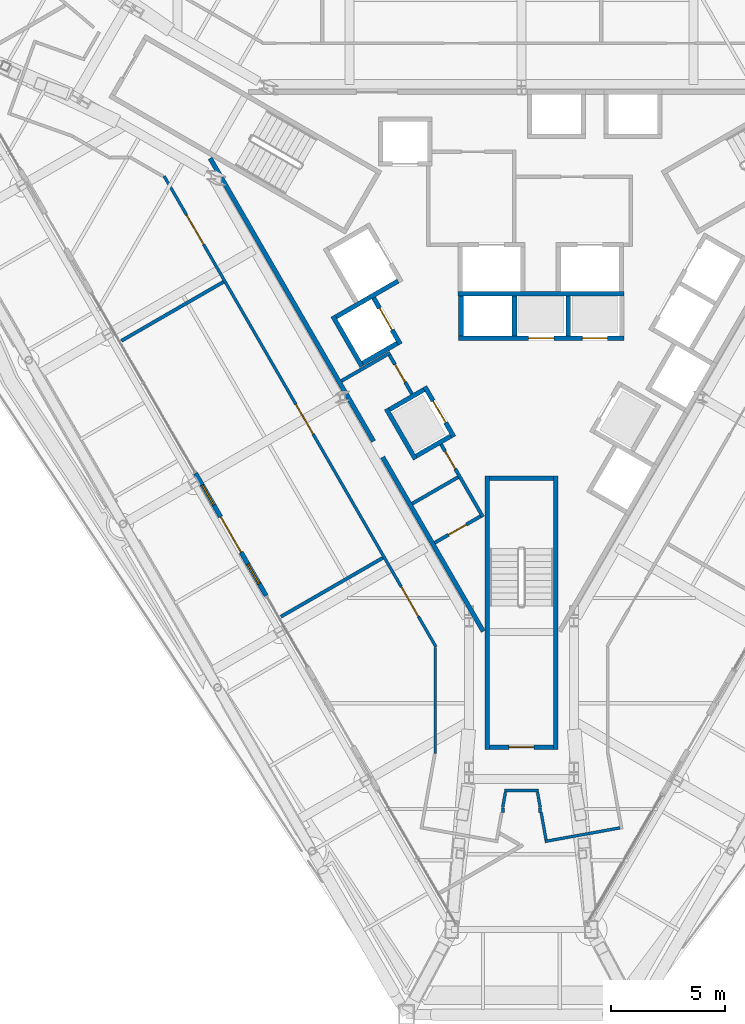
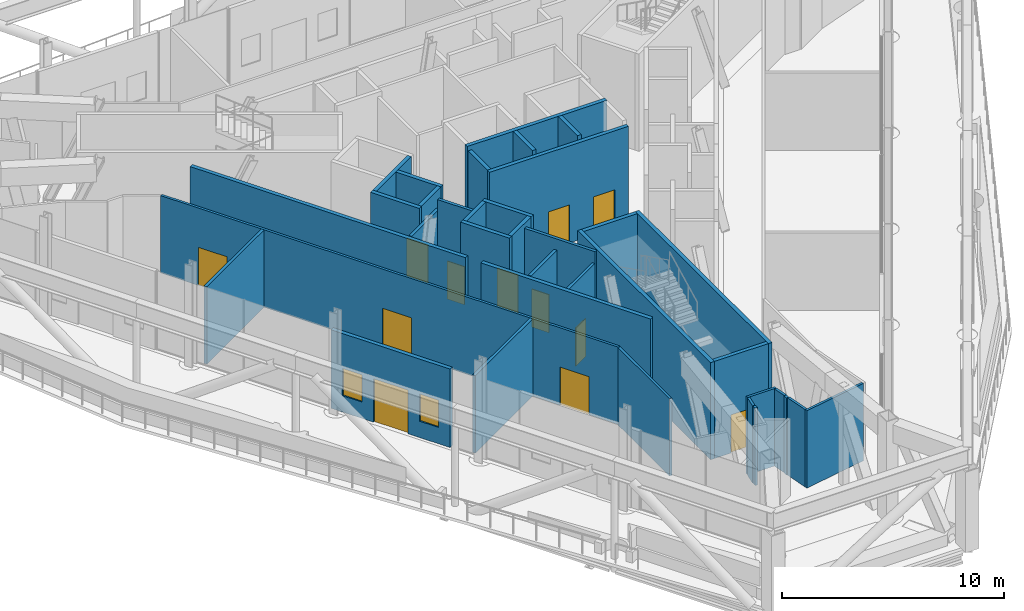
# One storey, part 15 of 25: 36 walls, 12 doors, 2 windows, 14 openings.
"""IFC4 building model written with IfcOpenShell, lengths in metres."""

import ifcopenshell
import ifcopenshell.guid

model = None  # the IFC model being written
_history = None  # IfcOwnerHistory: only IFC2X3 demands one
_inside = {}  # id of a spatial element -> (the spatial element, [elements in it])
_under = {}  # id of a project, library or spatial element -> (it, [spatial elements below it])
_declared = {}  # id of a project -> (the project, [libraries it declares])
_typed = {}  # id of a type object -> (the type object, [elements of that type])
_made_of = {}  # id of a material, layer set ... -> (it, [elements and type objects made of it])


def new_model(schema):
    """Start an empty IFC model of exactly this schema.

    Asked for "IFC4X3", IfcOpenShell would pick the latest addendum, in which some entities
    have other attributes; the version numbers below select the first issue.
    IFC2X3 requires an IfcOwnerHistory on every rooted entity: one is made here for all.
    """
    global model, _history
    if schema == "IFC4X3":
        model = ifcopenshell.file(schema_version=(4, 3, 0, 0))
    else:
        model = ifcopenshell.file(schema=schema)
    _inside.clear()
    _under.clear()
    _declared.clear()
    _typed.clear()
    _made_of.clear()
    _history = None
    if model.schema == "IFC2X3":
        org = make("IfcOrganization", Name="unknown")
        user = make(
            "IfcPersonAndOrganization",
            ThePerson=make("IfcPerson", FamilyName="unknown"),
            TheOrganization=org,
        )
        app = make(
            "IfcApplication",
            ApplicationDeveloper=org,
            Version="unknown",
            ApplicationFullName="unknown",
            ApplicationIdentifier="unknown",
        )
        _history = make(
            "IfcOwnerHistory",
            OwningUser=user,
            OwningApplication=app,
            ChangeAction="ADDED",
            CreationDate=0,
        )
    return model


def make(cls, **values):
    """One entity of the class cls with the attributes given. An attribute that is None is left unset."""
    return model.create_entity(
        cls, **{name: value for name, value in values.items() if value is not None}
    )


def rooted(cls, **values):
    """An entity with a GlobalId (a new one), such as an element, a storey or a relation."""
    return make(cls, GlobalId=ifcopenshell.guid.new(), OwnerHistory=_history, **values)


def si_unit(unit_type, name, prefix=None):
    """IfcSIUnit, for example si_unit("LENGTHUNIT", "METRE", prefix="MILLI")."""
    return make("IfcSIUnit", UnitType=unit_type, Prefix=prefix, Name=name)


def assignment(units):
    """IfcUnitAssignment: the units of a project."""
    return None if units is None else make("IfcUnitAssignment", Units=units)


def point(xyz):
    """IfcCartesianPoint."""
    return None if xyz is None else make("IfcCartesianPoint", Coordinates=xyz)


def direction(xyz):
    """IfcDirection."""
    return None if xyz is None else make("IfcDirection", DirectionRatios=xyz)


def frame(location, z_axis=None, x_axis=None):
    """IfcAxis2Placement3D, a coordinate frame: its origin and axes. An axis left out is left unset."""
    return make(
        "IfcAxis2Placement3D",
        Location=point(location),
        Axis=direction(z_axis),
        RefDirection=direction(x_axis),
    )


def frame_2d(location, x_axis=None):
    """IfcAxis2Placement2D, a coordinate frame in the plane: its origin and x axis."""
    return make(
        "IfcAxis2Placement2D", Location=point(location), RefDirection=direction(x_axis)
    )


def origin():
    """The frame at (0, 0, 0) with its axes left unset."""
    return frame((0.0, 0.0, 0.0))


def place(relative_to, where):
    """IfcLocalPlacement: puts the frame where relative to a parent placement (None: the world)."""
    return make(
        "IfcLocalPlacement", PlacementRelTo=relative_to, RelativePlacement=where
    )


def context(
    kind, dimensions, precision=None, world=None, true_north=None, identifier=None
):
    """IfcGeometricRepresentationContext, for example the 3D "Model" context."""
    return make(
        "IfcGeometricRepresentationContext",
        ContextIdentifier=identifier,
        ContextType=kind,
        CoordinateSpaceDimension=dimensions,
        Precision=precision,
        WorldCoordinateSystem=world,
        TrueNorth=true_north,
    )


def subcontext(parent, identifier, kind, view, scale=None):
    """IfcGeometricRepresentationSubContext, for example "Body" below "Model"."""
    return make(
        "IfcGeometricRepresentationSubContext",
        ContextIdentifier=identifier,
        ContextType=kind,
        ParentContext=parent,
        TargetScale=scale,
        TargetView=view,
    )


def project(units=None, contexts=None):
    """IfcProject with its units and contexts."""
    return rooted(
        "IfcProject",
        Name="project",
        RepresentationContexts=contexts,
        UnitsInContext=assignment(units),
    )


def spatial(cls, under=None, at=None, **own):
    """A site, building, storey or space (cls), placed at a placement, below another one or the project."""
    s = rooted(cls, ObjectPlacement=at, **own)
    if under is not None:
        _under.setdefault(under.id(), (under, []))[1].append(s)
    return s


def profile(cls, at=None, kind="AREA", **sizes):
    """A parametric profile (cls). Its sizes go by their IFC names, for example OverallWidth=200.0."""
    return make(cls, ProfileType=kind, Position=at, **sizes)


def rectangle(**sizes):
    """IfcRectangleProfileDef."""
    return profile("IfcRectangleProfileDef", **sizes)


def extrude(swept, where, along, depth):
    """IfcExtrudedAreaSolid: the profile swept, set in the frame where, extruded along a direction by depth."""
    return make(
        "IfcExtrudedAreaSolid",
        SweptArea=swept,
        Position=where,
        ExtrudedDirection=direction(along),
        Depth=depth,
    )


def shape(context_of_items, identifier, shape_type, items):
    """IfcShapeRepresentation: the items that make up one representation, for example the "Body"."""
    return make(
        "IfcShapeRepresentation",
        ContextOfItems=context_of_items,
        RepresentationIdentifier=identifier,
        RepresentationType=shape_type,
        Items=items,
    )


def material(Name=None, Category=None):
    """IfcMaterial."""
    return make("IfcMaterial", Name=Name, Category=Category)


def layer(
    of_material, thickness, ventilated=None, Name=None, Category=None, Priority=None
):
    """IfcMaterialLayer: one layer of a wall or slab, of a material (None: an air gap)."""
    return make(
        "IfcMaterialLayer",
        Material=of_material,
        LayerThickness=thickness,
        IsVentilated=ventilated,
        Name=Name,
        Category=Category,
        Priority=Priority,
    )


def layer_set(layers, Name=None):
    """IfcMaterialLayerSet."""
    return make("IfcMaterialLayerSet", MaterialLayers=layers, LayerSetName=Name)


def made_of(thing, what):
    """Note that an element or type object is made of a material, layer set ...; save() writes the relation."""
    if what is not None:
        _made_of.setdefault(what.id(), (what, []))[1].append(thing)
    return thing


def type_object(cls, material=None, **own):
    """A type object (cls), such as IfcWallType, which elements share."""
    return made_of(rooted(cls, **own), material)


def element(
    cls,
    number,
    at=None,
    inside=None,
    cuts=None,
    type_object=None,
    material=None,
    context=None,
    identifier="Body",
    shape_type=None,
    held_by="IfcProductDefinitionShape",
    body=None,
    shapes=None,
    **own,
):
    """One element of the class cls, such as IfcWall. Its Tag is "e" and its number.

    at: its placement. inside: the storey or other place that contains it. cuts: it is an
    opening in that element (IfcRelVoidsElement). A single representation is given by context,
    identifier, shape_type and body (its items); several are given by shapes. held_by: the class
    of the entity that holds the representations. save() writes the other relations.
    """
    e = rooted(cls, Tag="e%d" % number, ObjectPlacement=at, **own)
    if body is not None:
        shapes = [shape(context, identifier, shape_type, body)]
    if shapes is not None:
        e.Representation = make(held_by, Representations=shapes)
    if inside is not None:
        _inside.setdefault(inside.id(), (inside, []))[1].append(e)
    if cuts is not None:
        rooted(
            "IfcRelVoidsElement", RelatingBuildingElement=cuts, RelatedOpeningElement=e
        )
    if type_object is not None:
        _typed.setdefault(type_object.id(), (type_object, []))[1].append(e)
    return made_of(e, material)


def fill(opening, filler):
    """IfcRelFillsElement: the door or window that sits in an opening."""
    return rooted(
        "IfcRelFillsElement",
        RelatingOpeningElement=opening,
        RelatedBuildingElement=filler,
    )


def aggregate(whole, parts):
    """IfcRelAggregates: a whole, such as a stair, and the parts it consists of."""
    return rooted("IfcRelAggregates", RelatingObject=whole, RelatedObjects=parts)


def save(model, path):
    """Write the relations noted so far, then the file.

    IfcRelAggregates (storeys below a building ...), IfcRelContainedInSpatialStructure (elements
    in a storey), IfcRelDefinesByType, IfcRelAssociatesMaterial and IfcRelDeclares: one each for
    every whole, place, type object, material and project.
    """
    for whole, parts in _under.values():
        aggregate(whole, parts)
    for where, things in _inside.values():
        rooted(
            "IfcRelContainedInSpatialStructure",
            RelatedElements=things,
            RelatingStructure=where,
        )
    for kind, things in _typed.values():
        rooted("IfcRelDefinesByType", RelatedObjects=things, RelatingType=kind)
    for what, things in _made_of.values():
        rooted("IfcRelAssociatesMaterial", RelatedObjects=things, RelatingMaterial=what)
    for by, libraries in _declared.values():
        rooted("IfcRelDeclares", RelatingContext=by, RelatedDefinitions=libraries)
    model.write(path)


model = new_model("IFC4")

# Units and contexts
model_context = context("Model", 3, precision=1e-05, world=origin(), true_north=direction((0.0, 1.0)))
body_context = subcontext(model_context, "Body", "Model", "MODEL_VIEW")
ifc_project = project(units=[si_unit("LENGTHUNIT", "METRE"), si_unit("AREAUNIT", "SQUARE_METRE"), si_unit("VOLUMEUNIT", "CUBIC_METRE"), si_unit("PLANEANGLEUNIT", "RADIAN"), si_unit("MASSUNIT", "GRAM", prefix="KILO")], contexts=[model_context])

# Site, building, storey
site_placement = place(None, origin())
site = spatial("IfcSite", under=ifc_project, at=site_placement, CompositionType="ELEMENT")
building_placement = place(site_placement, origin())
building = spatial("IfcBuilding", under=site, at=building_placement, Name="Verrane Prism Tower", CompositionType="ELEMENT")
storey_placement = place(building_placement, frame((0.0, 0.0, 143.199951171875)))
storey = spatial("IfcBuildingStorey", under=building, at=storey_placement, Name="L35", CompositionType="ELEMENT", Elevation=143.199951171875)

# Walls
ifc_material_1 = material(Name="Gypsum board partition", Category="other")
ifc_layer_1 = layer(ifc_material_1, 0.199951171875)
ifc_layer_set_1 = layer_set([ifc_layer_1], Name="CW-200 core boundary wall 2 h")
wall_type_1 = type_object("IfcWallType", Name="CW-200 core boundary wall 2 h", PredefinedType="PARTITIONING", material=ifc_layer_set_1)
wall_1_placement = place(storey_placement, frame((-13.666015625, 5.950439453125, 0.0), z_axis=(0.0, 0.0, 1.0), x_axis=(0.499988097782, -0.866032275424, 0.0)))
element("IfcWall", 1, at=wall_1_placement, inside=storey, type_object=wall_type_1, Name="Core boundary wall CW3-001", PredefinedType="PARTITIONING", context=body_context, shape_type="SweptSolid", body=[
    extrude(rectangle(XDim=14.346435546875, YDim=0.199951171875, at=frame_2d((7.17333984375, 0.0))), origin(), (0.0, 0.0, 1.0), 4.69677734375),
])
wall_2_placement = place(storey_placement, frame((-6.093017578125, -7.1669921875, 0.0), z_axis=(0.0, 0.0, 1.0), x_axis=(0.500010425738, -0.866019384398, 0.0)))
element("IfcWall", 2, at=wall_2_placement, inside=storey, type_object=wall_type_1, Name="Core boundary wall CW3-003", PredefinedType="PARTITIONING", context=body_context, shape_type="SweptSolid", body=[
    extrude(rectangle(XDim=8.830810546875, YDim=0.199951171875, at=frame_2d((4.41552734375, 0.0))), origin(), (0.0, 0.0, 1.0), 4.69677734375),
])

# Wall, opening, door
ifc_material_2 = material(Name="Concrete C40/50", Category="concrete")
ifc_layer_2 = layer(ifc_material_2, 0.199951171875)
ifc_layer_set_2 = layer_set([ifc_layer_2], Name="CW-200 stair core wall concrete C40/50 3 h")
wall_type_2 = type_object("IfcWallType", Name="CW-200 stair core wall concrete C40/50 3 h", PredefinedType="PARTITIONING", material=ifc_layer_set_2)
wall_3_placement = place(storey_placement, frame((-1.39990234375, -19.89990234375, 0.0), z_axis=(0.0, 0.0, 1.0), x_axis=(1.0, 0.0, 0.0)))
wall_3 = element("IfcWall", 3, at=wall_3_placement, inside=storey, type_object=wall_type_2, Name="Stair 3 enclosure wall", PredefinedType="PARTITIONING", context=body_context, shape_type="SweptSolid", body=[
    extrude(rectangle(XDim=2.7998046875, YDim=0.199951171875, at=frame_2d((1.39990234375, 0.0))), origin(), (0.0, 0.0, 1.0), 5.35009765625),
])
opening_1_placement = place(wall_3_placement, frame((0.85009765625, 0.0, 0.0)))
opening_1 = element("IfcOpeningElement", 4, at=opening_1_placement, cuts=wall_3, Name="Opening D35502", PredefinedType="OPENING", context=body_context, shape_type="SweptSolid", body=[
    extrude(rectangle(XDim=1.10009765625, YDim=2.10009765625, at=frame_2d((0.550048828125, 1.050048828125))), frame((0.0, 0.10986328125, 0.0), z_axis=(0.0, -1.0, 0.0), x_axis=(1.0, 0.0, 0.0)), (0.0, 0.0, 1.0), 0.219970703125),
])
ifc_material_3 = material(Name="Timber veneered door leaf", Category="wood")
door_type_1 = type_object("IfcDoorType", Name="DR-1100x2100 FD90 single leaf stair", OperationType="NOTDEFINED", PredefinedType="DOOR", material=ifc_material_3)
door_1_placement = place(opening_1_placement, origin())
door_1 = element("IfcDoor", 5, at=door_1_placement, inside=storey, type_object=door_type_1, Name="Stair 3 door", OperationType="SINGLE_SWING_LEFT", OverallHeight=2.10009765625, OverallWidth=1.10009765625, PredefinedType="DOOR", context=body_context, shape_type="SweptSolid", body=[
    extrude(rectangle(XDim=1.10009765625, YDim=2.10009765625, at=frame_2d((0.550048828125, 1.050048828125))), frame((0.0, 0.02490234375, 0.0), z_axis=(0.0, -1.0, 0.0), x_axis=(1.0, 0.0, 0.0)), (0.0, 0.0, 1.0), 0.050048828125),
])
fill(opening_1, door_1)

# Walls
for number, where, z_axis, x_axis, name in (
    (6, (1.5, -8.0, 0.0), (0.0, 0.0, 1.0), (0.0, -1.0, 0.0), "Stair 3 enclosure wall"),
    (7, (-1.5, -8.0, 0.0), (0.0, 0.0, 1.0), (0.0, -1.0, 0.0), "Stair 3 enclosure wall"),
):
    element("IfcWall", number, at=place(storey_placement, frame(where, z_axis=z_axis, x_axis=x_axis)), inside=storey, type_object=wall_type_2, Name=name, PredefinedType="PARTITIONING", context=body_context, shape_type="SweptSolid", body=[
        extrude(rectangle(XDim=12.0, YDim=0.199951171875, at=frame_2d((6.0, 0.0))), origin(), (0.0, 0.0, 1.0), 5.35009765625),
    ])
wall_4_placement = place(storey_placement, frame((-1.39990234375, -8.10009765625, 0.0), z_axis=(0.0, 0.0, 1.0), x_axis=(1.0, 0.0, 0.0)))
element("IfcWall", 8, at=wall_4_placement, inside=storey, type_object=wall_type_2, Name="Stair 3 enclosure wall", PredefinedType="PARTITIONING", context=body_context, shape_type="SweptSolid", body=[
    extrude(rectangle(XDim=2.7998046875, YDim=0.199951171875, at=frame_2d((1.39990234375, 0.0))), origin(), (0.0, 0.0, 1.0), 5.35009765625),
])

# Wall, openings, doors
ifc_material_4 = material(Name="Gypsum board shaft wall assembly", Category="other")
ifc_layer_3 = layer(ifc_material_4, 0.199951171875)
ifc_layer_set_3 = layer_set([ifc_layer_3], Name="HW-200 lift shaft wall 2 h")
wall_type_3 = type_object("IfcWallType", Name="HW-200 lift shaft wall 2 h", PredefinedType="PARTITIONING", material=ifc_layer_set_3)
wall_5_placement = place(storey_placement, frame((-2.7548828125, -1.949951171875, 0.0), z_axis=(0.0, 0.0, 1.0), x_axis=(1.0, 0.0, 0.0)))
wall_5 = element("IfcWall", 9, at=wall_5_placement, inside=storey, type_object=wall_type_3, Name="Lift shaft wall", PredefinedType="PARTITIONING", context=body_context, shape_type="SweptSolid", body=[
    extrude(rectangle(XDim=7.25, YDim=0.199951171875, at=frame_2d((3.625, 0.0))), origin(), (0.0, 0.0, 1.0), 5.35009765625),
])
opening_2_placement = place(wall_5_placement, frame((3.074951171875, 0.0, 0.0)))
opening_2 = element("IfcOpeningElement", 10, at=opening_2_placement, cuts=wall_5, Name="Opening D35507", PredefinedType="OPENING", context=body_context, shape_type="SweptSolid", body=[
    extrude(rectangle(XDim=1.10009765625, YDim=2.10009765625, at=frame_2d((0.550048828125, 1.050048828125))), frame((0.0, 0.10986328125, 0.0), z_axis=(0.0, -1.0, 0.0), x_axis=(1.0, 0.0, 0.0)), (0.0, 0.0, 1.0), 0.219970703125),
])
opening_3_placement = place(wall_5_placement, frame((5.425048828125, 0.0, 0.0)))
opening_3 = element("IfcOpeningElement", 11, at=opening_3_placement, cuts=wall_5, Name="Opening D35508", PredefinedType="OPENING", context=body_context, shape_type="SweptSolid", body=[
    extrude(rectangle(XDim=1.10009765625, YDim=2.10009765625, at=frame_2d((0.550048828125, 1.050048828125))), frame((0.0, 0.10986328125, 0.0), z_axis=(0.0, -1.0, 0.0), x_axis=(1.0, 0.0, 0.0)), (0.0, 0.0, 1.0), 0.219970703125),
])
ifc_material_5 = material(Name="Stainless steel sliding landing door", Category="steel")
door_type_2 = type_object("IfcDoorType", Name="LD-1100x2100 lift landing door FD90 sliding", OperationType="NOTDEFINED", PredefinedType="DOOR", material=ifc_material_5)
door_2_placement = place(opening_2_placement, origin())
door_2 = element("IfcDoor", 12, at=door_2_placement, inside=storey, type_object=door_type_2, Name="Bank B lift 1 landing door", OperationType="SLIDING_TO_LEFT", OverallHeight=2.10009765625, OverallWidth=1.10009765625, PredefinedType="DOOR", context=body_context, shape_type="SweptSolid", body=[
    extrude(rectangle(XDim=1.10009765625, YDim=2.10009765625, at=frame_2d((0.550048828125, 1.050048828125))), frame((0.0, 0.02490234375, 0.0), z_axis=(0.0, -1.0, 0.0), x_axis=(1.0, 0.0, 0.0)), (0.0, 0.0, 1.0), 0.050048828125),
])
fill(opening_2, door_2)
door_3_placement = place(opening_3_placement, origin())
door_3 = element("IfcDoor", 13, at=door_3_placement, inside=storey, type_object=door_type_2, Name="Bank B lift 2 landing door", OperationType="SLIDING_TO_RIGHT", OverallHeight=2.10009765625, OverallWidth=1.10009765625, PredefinedType="DOOR", context=body_context, shape_type="SweptSolid", body=[
    extrude(rectangle(XDim=1.10009765625, YDim=2.10009765625, at=frame_2d((0.550048828125, 1.050048828125))), frame((0.0, 0.02490234375, 0.0), z_axis=(0.0, -1.0, 0.0), x_axis=(1.0, 0.0, 0.0)), (0.0, 0.0, 1.0), 0.050048828125),
])
fill(opening_3, door_3)

# Walls
wall_6_placement = place(storey_placement, frame((-2.784912109375, 0.0, 0.0), z_axis=(0.0, 0.0, 1.0), x_axis=(1.0, 0.0, 0.0)))
element("IfcWall", 14, at=wall_6_placement, inside=storey, type_object=wall_type_3, Name="Lift shaft wall", PredefinedType="PARTITIONING", context=body_context, shape_type="SweptSolid", body=[
    extrude(rectangle(XDim=7.280029296875, YDim=0.199951171875, at=frame_2d((3.64013671875, 0.0))), origin(), (0.0, 0.0, 1.0), 5.60009765625),
])
for number, where, z_axis, x_axis, name in (
    (15, (-4.61962890625, -7.118408203125, 0.0), (0.0, 0.0, 1.0), (0.866036909293, 0.499980071345, 0.0), "Lift shaft wall"),
    (16, (-5.794677734375, -5.083251953125, 0.0), (0.0, 0.0, 1.0), (0.866036909293, 0.499980071345, 0.0), "Lift shaft wall"),
    (17, (-6.9697265625, -3.048095703125, 0.0), (0.0, 0.0, 1.0), (0.866036909293, 0.499980071345, 0.0), "Lift shaft wall"),
):
    element("IfcWall", number, at=place(storey_placement, frame(where, z_axis=z_axis, x_axis=x_axis)), inside=storey, type_object=wall_type_3, Name=name, PredefinedType="PARTITIONING", context=body_context, shape_type="SweptSolid", body=[
        extrude(rectangle(XDim=1.75, YDim=0.199951171875, at=frame_2d((0.875, 0.0))), origin(), (0.0, 0.0, 1.0), 5.60009765625),
    ])
wall_7_placement = place(storey_placement, frame((-8.14453125, -1.012939453125, 0.0), z_axis=(0.0, 0.0, 1.0), x_axis=(0.866016494683, 0.500015430699, 0.0)))
element("IfcWall", 18, at=wall_7_placement, inside=storey, type_object=wall_type_3, Name="Lift shaft wall", PredefinedType="PARTITIONING", context=body_context, shape_type="SweptSolid", body=[
    extrude(rectangle(XDim=3.14990234375, YDim=0.199951171875, at=frame_2d((1.574951171875, 0.0))), origin(), (0.0, 0.0, 1.0), 5.60009765625),
])
for number, where, z_axis, x_axis, name in (
    (19, (2.044921875, -1.85009765625, 0.0), (0.0, 0.0, 1.0), (0.0, 1.0, 0.0), "Lift shaft wall"),
    (20, (-0.304931640625, -1.85009765625, 0.0), (0.0, 0.0, 1.0), (0.0, 1.0, 0.0), "Lift shaft wall"),
):
    element("IfcWall", number, at=place(storey_placement, frame(where, z_axis=z_axis, x_axis=x_axis)), inside=storey, type_object=wall_type_3, Name=name, PredefinedType="PARTITIONING", context=body_context, shape_type="SweptSolid", body=[
        extrude(rectangle(XDim=1.75, YDim=0.199951171875, at=frame_2d((0.875, 0.0))), origin(), (0.0, 0.0, 1.0), 5.60009765625),
    ])
wall_8_placement = place(storey_placement, frame((-2.655029296875, -1.85009765625, 0.0), z_axis=(0.0, 0.0, 1.0), x_axis=(0.0, 1.0, 0.0)))
element("IfcWall", 21, at=wall_8_placement, inside=storey, type_object=wall_type_3, Name="Lift shaft wall", PredefinedType="PARTITIONING", context=body_context, shape_type="SweptSolid", body=[
    extrude(rectangle(XDim=1.75, YDim=0.199951171875, at=frame_2d((0.875, 0.0))), origin(), (0.0, 0.0, 1.0), 5.35009765625),
])

# Wall, opening, door
wall_9_placement = place(storey_placement, frame((-2.967529296875, -6.280029296875, 0.0), z_axis=(0.0, 0.0, 1.0), x_axis=(-0.499990435942, 0.866030925526, 0.0)))
wall_9 = element("IfcWall", 22, at=wall_9_placement, inside=storey, type_object=wall_type_3, Name="Lift shaft wall", PredefinedType="PARTITIONING", context=body_context, shape_type="SweptSolid", body=[
    extrude(rectangle(XDim=2.5498046875, YDim=0.199951171875, at=frame_2d((1.27490234375, 0.0))), origin(), (0.0, 0.0, 1.0), 5.60009765625),
])
opening_4_placement = place(wall_9_placement, frame((0.72509765625, 0.0, 0.0)))
opening_4 = element("IfcOpeningElement", 23, at=opening_4_placement, cuts=wall_9, Name="Opening D35510", PredefinedType="OPENING", context=body_context, shape_type="SweptSolid", body=[
    extrude(rectangle(XDim=1.10009765625, YDim=2.10009765625, at=frame_2d((0.550048828125, 1.050048828125))), frame((0.0, 0.10986328125, 0.0), z_axis=(0.0, -1.0, 0.0), x_axis=(1.0, 0.0, 0.0)), (0.0, 0.0, 1.0), 0.219970703125),
])
door_4_placement = place(opening_4_placement, origin())
door_4 = element("IfcDoor", 24, at=door_4_placement, inside=storey, type_object=door_type_2, Name="Bank B lift 4 landing door", OperationType="SLIDING_TO_RIGHT", OverallHeight=2.10009765625, OverallWidth=1.10009765625, PredefinedType="DOOR", context=body_context, shape_type="SweptSolid", body=[
    extrude(rectangle(XDim=1.10009765625, YDim=2.10009765625, at=frame_2d((0.550048828125, 1.050048828125))), frame((0.0, 0.02490234375, 0.0), z_axis=(0.0, -1.0, 0.0), x_axis=(1.0, 0.0, 0.0)), (0.0, 0.0, 1.0), 0.050048828125),
])
fill(opening_4, door_4)

wall_10_placement = place(storey_placement, frame((-5.317626953125, -2.209716796875, 0.0), z_axis=(0.0, 0.0, 1.0), x_axis=(-0.499938297808, 0.866061024631, 0.0)))
wall_10 = element("IfcWall", 25, at=wall_10_placement, inside=storey, type_object=wall_type_3, Name="Lift shaft wall", PredefinedType="PARTITIONING", context=body_context, shape_type="SweptSolid", body=[
    extrude(rectangle(XDim=2.349853515625, YDim=0.199951171875, at=frame_2d((1.1748046875, 0.0))), origin(), (0.0, 0.0, 1.0), 5.60009765625),
])
opening_5_placement = place(wall_10_placement, frame((0.72509765625, 0.0, 0.0)))
opening_5 = element("IfcOpeningElement", 26, at=opening_5_placement, cuts=wall_10, Name="Opening D35506", PredefinedType="OPENING", context=body_context, shape_type="SweptSolid", body=[
    extrude(rectangle(XDim=1.10009765625, YDim=2.10009765625, at=frame_2d((0.550048828125, 1.050048828125))), frame((0.0, 0.10986328125, 0.0), z_axis=(0.0, -1.0, 0.0), x_axis=(1.0, 0.0, 0.0)), (0.0, 0.0, 1.0), 0.219970703125),
])
door_5_placement = place(opening_5_placement, origin())
door_5 = element("IfcDoor", 27, at=door_5_placement, inside=storey, type_object=door_type_2, Name="Shuttle lift 4 landing door", OperationType="SLIDING_TO_RIGHT", OverallHeight=2.10009765625, OverallWidth=1.10009765625, PredefinedType="DOOR", context=body_context, shape_type="SweptSolid", body=[
    extrude(rectangle(XDim=1.10009765625, YDim=2.10009765625, at=frame_2d((0.550048828125, 1.050048828125))), frame((0.0, 0.02490234375, 0.0), z_axis=(0.0, -1.0, 0.0), x_axis=(1.0, 0.0, 0.0)), (0.0, 0.0, 1.0), 0.050048828125),
])
fill(opening_5, door_5)

# Walls
for number, where, z_axis, x_axis, name in (
    (28, (-4.65625, -7.255126953125, 0.0), (0.0, 0.0, 1.0), (-0.499990435942, 0.866030925526, 0.0), "Lift shaft wall"),
    (29, (-7.00634765625, -3.184814453125, 0.0), (0.0, 0.0, 1.0), (-0.499990435942, 0.866030925526, 0.0), "Lift shaft wall"),
):
    element("IfcWall", number, at=place(storey_placement, frame(where, z_axis=z_axis, x_axis=x_axis)), inside=storey, type_object=wall_type_3, Name=name, PredefinedType="PARTITIONING", context=body_context, shape_type="SweptSolid", body=[
        extrude(rectangle(XDim=2.5498046875, YDim=0.199951171875, at=frame_2d((1.27490234375, 0.0))), origin(), (0.0, 0.0, 1.0), 5.60009765625),
    ])

# Wall, openings, doors
ifc_material_6 = material(Name="Gypsum board partition", Category="other")
ifc_layer_4 = layer(ifc_material_6, 0.125)
ifc_layer_set_4 = layer_set([ifc_layer_4], Name="PW-125 corridor wall 1 h")
wall_type_4 = type_object("IfcWallType", Name="PW-125 corridor wall 1 h", PredefinedType="PARTITIONING", material=ifc_layer_set_4)
wall_11_placement = place(storey_placement, frame((-3.755859375, -15.494140625, 0.0), z_axis=(0.0, 0.0, 1.0), x_axis=(-0.500027787016, 0.866009360349, 0.0)))
wall_11 = element("IfcWall", 30, at=wall_11_placement, inside=storey, type_object=wall_type_4, Name="Corridor wall 014", PredefinedType="PARTITIONING", context=body_context, shape_type="SweptSolid", body=[
    extrude(rectangle(XDim=23.855712890625, YDim=0.125, at=frame_2d((11.927734375, 0.0))), origin(), (0.0, 0.0, 1.0), 4.261962890625),
])
opening_6_placement = place(wall_11_placement, frame((20.39306640625, 0.0, 0.0)))
opening_6 = element("IfcOpeningElement", 31, at=opening_6_placement, cuts=wall_11, Name="Opening D35005", PredefinedType="OPENING", context=body_context, shape_type="SweptSolid", body=[
    extrude(rectangle(XDim=1.5, YDim=2.10009765625, at=frame_2d((0.75, 1.050048828125))), frame((0.0, 0.072509765625, 0.0), z_axis=(0.0, -1.0, 0.0), x_axis=(1.0, 0.0, 0.0)), (0.0, 0.0, 1.0), 0.14501953125),
])
opening_7_placement = place(wall_11_placement, frame((10.78515625, 0.0, 0.0)))
opening_7 = element("IfcOpeningElement", 32, at=opening_7_placement, cuts=wall_11, Name="Opening D35006", PredefinedType="OPENING", context=body_context, shape_type="SweptSolid", body=[
    extrude(rectangle(XDim=1.5, YDim=2.10009765625, at=frame_2d((0.75, 1.050048828125))), frame((0.0, 0.072509765625, 0.0), z_axis=(0.0, -1.0, 0.0), x_axis=(1.0, 0.0, 0.0)), (0.0, 0.0, 1.0), 0.14501953125),
])
opening_8_placement = place(wall_11_placement, frame((1.545166015625, 0.0, 0.0)))
opening_8 = element("IfcOpeningElement", 33, at=opening_8_placement, cuts=wall_11, Name="Opening D35007", PredefinedType="OPENING", context=body_context, shape_type="SweptSolid", body=[
    extrude(rectangle(XDim=1.5, YDim=2.10009765625, at=frame_2d((0.75, 1.050048828125))), frame((0.0, 0.072509765625, 0.0), z_axis=(0.0, -1.0, 0.0), x_axis=(1.0, 0.0, 0.0)), (0.0, 0.0, 1.0), 0.14501953125),
])
ifc_material_7 = material(Name="Timber veneered door leaf", Category="wood")
door_type_3 = type_object("IfcDoorType", Name="DR-1500x2100 FD60 double leaf unit", OperationType="NOTDEFINED", PredefinedType="DOOR", material=ifc_material_7)
door_6_placement = place(opening_6_placement, origin())
door_6 = element("IfcDoor", 34, at=door_6_placement, inside=storey, type_object=door_type_3, Name="Refuge Area door", OperationType="DOUBLE_DOOR_SINGLE_SWING", OverallHeight=2.10009765625, OverallWidth=1.5, PredefinedType="DOOR", context=body_context, shape_type="SweptSolid", body=[
    extrude(rectangle(XDim=1.5, YDim=2.10009765625, at=frame_2d((0.75, 1.050048828125))), frame((0.0, 0.02490234375, 0.0), z_axis=(0.0, -1.0, 0.0), x_axis=(1.0, 0.0, 0.0)), (0.0, 0.0, 1.0), 0.050048828125),
])
fill(opening_6, door_6)
door_7_placement = place(opening_7_placement, origin())
door_7 = element("IfcDoor", 35, at=door_7_placement, inside=storey, type_object=door_type_3, Name="Refuge Area door", OperationType="DOUBLE_DOOR_SINGLE_SWING", OverallHeight=2.10009765625, OverallWidth=1.5, PredefinedType="DOOR", context=body_context, shape_type="SweptSolid", body=[
    extrude(rectangle(XDim=1.5, YDim=2.10009765625, at=frame_2d((0.75, 1.050048828125))), frame((0.0, 0.02490234375, 0.0), z_axis=(0.0, -1.0, 0.0), x_axis=(1.0, 0.0, 0.0)), (0.0, 0.0, 1.0), 0.050048828125),
])
fill(opening_7, door_7)
door_8_placement = place(opening_8_placement, origin())
door_8 = element("IfcDoor", 36, at=door_8_placement, inside=storey, type_object=door_type_3, Name="Refuge Area door", OperationType="DOUBLE_DOOR_SINGLE_SWING", OverallHeight=2.10009765625, OverallWidth=1.5, PredefinedType="DOOR", context=body_context, shape_type="SweptSolid", body=[
    extrude(rectangle(XDim=1.5, YDim=2.10009765625, at=frame_2d((0.75, 1.050048828125))), frame((0.0, 0.02490234375, 0.0), z_axis=(0.0, -1.0, 0.0), x_axis=(1.0, 0.0, 0.0)), (0.0, 0.0, 1.0), 0.050048828125),
])
fill(opening_8, door_8)

# Walls
wall_12_placement = place(storey_placement, frame((-3.787109375, -20.172607421875, 0.0), z_axis=(0.0, 0.0, 1.0), x_axis=(0.0, 1.0, 0.0)))
element("IfcWall", 37, at=wall_12_placement, inside=storey, type_object=wall_type_4, Name="Corridor wall 020", PredefinedType="PARTITIONING", context=body_context, shape_type="SweptSolid", body=[
    extrude(rectangle(XDim=4.647705078125, YDim=0.125, at=frame_2d((2.32373046875, 0.0))), origin(), (0.0, 0.0, 1.0), 4.261962890625),
])
wall_13_placement = place(storey_placement, frame((-0.81298828125, -22.759033203125, 0.0), z_axis=(0.0, 0.0, 1.0), x_axis=(0.0, 1.0, 0.0)))
element("IfcWall", 38, at=wall_13_placement, inside=storey, type_object=wall_type_4, Name="Corridor wall 024", PredefinedType="PARTITIONING", context=body_context, shape_type="SweptSolid", body=[
    extrude(rectangle(XDim=0.197021484375, YDim=0.125, at=frame_2d((0.0986328125, 0.0))), origin(), (0.0, 0.0, 1.0), 4.261962890625),
])
wall_14_placement = place(storey_placement, frame((-0.82421875, -22.548583984375, 0.0), z_axis=(0.0, 0.0, 1.0), x_axis=(0.177663374982, 0.984091319538, 0.0)))
element("IfcWall", 39, at=wall_14_placement, inside=storey, type_object=wall_type_4, Name="Corridor wall 025", PredefinedType="PARTITIONING", context=body_context, shape_type="SweptSolid", body=[
    extrude(rectangle(XDim=0.685791015625, YDim=0.125, at=frame_2d((0.3427734375, 0.0))), origin(), (0.0, 0.0, 1.0), 4.261962890625),
])
wall_15_placement = place(storey_placement, frame((-0.75146484375, -21.800048828125, 0.0), z_axis=(0.0, 0.0, 1.0), x_axis=(1.0, 0.0, 0.0)))
element("IfcWall", 40, at=wall_15_placement, inside=storey, type_object=wall_type_4, Name="Corridor wall 026", PredefinedType="PARTITIONING", context=body_context, shape_type="SweptSolid", body=[
    extrude(rectangle(XDim=1.5029296875, YDim=0.125, at=frame_2d((0.75146484375, 0.0))), origin(), (0.0, 0.0, 1.0), 4.261962890625),
])
wall_16_placement = place(storey_placement, frame((0.702392578125, -21.873779296875, 0.0), z_axis=(0.0, 0.0, 1.0), x_axis=(0.177663374982, -0.984091319538, 0.0)))
element("IfcWall", 41, at=wall_16_placement, inside=storey, type_object=wall_type_4, Name="Corridor wall 027", PredefinedType="PARTITIONING", context=body_context, shape_type="SweptSolid", body=[
    extrude(rectangle(XDim=0.685791015625, YDim=0.125, at=frame_2d((0.3427734375, 0.0))), origin(), (0.0, 0.0, 1.0), 4.261962890625),
])
wall_17_placement = place(storey_placement, frame((0.81298828125, -22.759033203125, 0.0), z_axis=(0.0, 0.0, 1.0), x_axis=(0.0, 1.0, 0.0)))
element("IfcWall", 42, at=wall_17_placement, inside=storey, type_object=wall_type_4, Name="Corridor wall 028", PredefinedType="PARTITIONING", context=body_context, shape_type="SweptSolid", body=[
    extrude(rectangle(XDim=0.197021484375, YDim=0.125, at=frame_2d((0.0986328125, 0.0))), origin(), (0.0, 0.0, 1.0), 4.261962890625),
])
wall_18_placement = place(storey_placement, frame((0.863037109375, -22.763916015625, 0.0), z_axis=(0.0, 0.0, 1.0), x_axis=(0.177370172534, -0.984144207876, 0.0)))
element("IfcWall", 43, at=wall_18_placement, inside=storey, type_object=wall_type_4, Name="Corridor wall 029", PredefinedType="PARTITIONING", context=body_context, shape_type="SweptSolid", body=[
    extrude(rectangle(XDim=1.219482421875, YDim=0.125, at=frame_2d((0.60986328125, 0.0))), origin(), (0.0, 0.0, 1.0), 4.261962890625),
])
wall_19_placement = place(storey_placement, frame((1.029541015625, -24.0390625, 0.0), z_axis=(0.0, 0.0, 1.0), x_axis=(0.984036430709, 0.177967140331, 0.0)))
element("IfcWall", 44, at=wall_19_placement, inside=storey, type_object=wall_type_4, Name="Corridor wall 030", PredefinedType="PARTITIONING", context=body_context, shape_type="SweptSolid", body=[
    extrude(rectangle(XDim=3.345947265625, YDim=0.125, at=frame_2d((1.6728515625, 0.0))), origin(), (0.0, 0.0, 1.0), 4.261962890625),
])
ifc_material_8 = material(Name="Gypsum board partition", Category="other")
ifc_layer_5 = layer(ifc_material_8, 0.14990234375)
ifc_layer_set_5 = layer_set([ifc_layer_5], Name="PW-150 demising wall 1 h")
wall_type_5 = type_object("IfcWallType", Name="PW-150 demising wall 1 h", PredefinedType="PARTITIONING", material=ifc_layer_set_5)
for number, where, z_axis, x_axis, name in (
    (45, (-17.55712890625, -2.06005859375, 0.0), (0.0, 0.0, 1.0), (0.866047234669, 0.499962185892, 0.0), "Demising wall 011"),
    (46, (-10.5625, -14.1748046875, 0.0), (0.0, 0.0, 1.0), (0.866079472015, 0.499906339382, 0.0), "Demising wall 016"),
):
    element("IfcWall", number, at=place(storey_placement, frame(where, z_axis=z_axis, x_axis=x_axis)), inside=storey, type_object=wall_type_5, Name=name, PredefinedType="PARTITIONING", context=body_context, shape_type="SweptSolid", body=[
        extrude(rectangle(XDim=5.171875, YDim=0.14990234375, at=frame_2d((2.5859375, 0.0))), origin(), (0.0, 0.0, 1.0), 4.261962890625),
    ])
ifc_material_9 = material(Name="Gypsum board partition", Category="other")
ifc_layer_6 = layer(ifc_material_9, 0.14990234375)
ifc_layer_set_6 = layer_set([ifc_layer_6], Name="RS-150 riser enclosure wall 1 h")
wall_type_6 = type_object("IfcWallType", Name="RS-150 riser enclosure wall 1 h", PredefinedType="PARTITIONING", material=ifc_layer_set_6)
wall_20_placement = place(storey_placement, frame((-7.902099609375, -3.823486328125, 0.0), z_axis=(0.0, 0.0, 1.0), x_axis=(0.866014407023, 0.500019046465, 0.0)))
element("IfcWall", 47, at=wall_20_placement, inside=storey, type_object=wall_type_6, Name="Riser wall RS3-001", PredefinedType="PARTITIONING", context=body_context, shape_type="SweptSolid", body=[
    extrude(rectangle(XDim=2.47021484375, YDim=0.14990234375, at=frame_2d((1.235107421875, 0.0))), origin(), (0.0, 0.0, 1.0), 4.73291015625),
])

# Wall, opening, door
wall_21_placement = place(storey_placement, frame((-4.805908203125, -4.39501953125, 0.0), z_axis=(0.0, 0.0, 1.0), x_axis=(-0.500287931394, 0.865859102685, 0.0)))
wall_21 = element("IfcWall", 48, at=wall_21_placement, inside=storey, type_object=wall_type_6, Name="Riser wall RS3-002", PredefinedType="PARTITIONING", context=body_context, shape_type="SweptSolid", body=[
    extrude(rectangle(XDim=1.968017578125, YDim=0.14990234375, at=frame_2d((0.98388671875, 0.0))), origin(), (0.0, 0.0, 1.0), 5.35009765625),
])
opening_9_placement = place(wall_21_placement, frame((0.593017578125, 0.0, 0.0)))
opening_9 = element("IfcOpeningElement", 49, at=opening_9_placement, cuts=wall_21, Name="Opening D35515", PredefinedType="OPENING", context=body_context, shape_type="SweptSolid", body=[
    extrude(rectangle(XDim=0.89990234375, YDim=2.10009765625, at=frame_2d((0.449951171875, 1.050048828125))), frame((0.0, 0.0849609375, 0.0), z_axis=(0.0, -1.0, 0.0), x_axis=(1.0, 0.0, 0.0)), (0.0, 0.0, 1.0), 0.169921875),
])
ifc_material_10 = material(Name="Timber veneered door leaf", Category="wood")
door_type_4 = type_object("IfcDoorType", Name="DR-900x2100 FD20 single leaf store", OperationType="NOTDEFINED", PredefinedType="DOOR", material=ifc_material_10)
door_9_placement = place(opening_9_placement, origin())
door_9 = element("IfcDoor", 50, at=door_9_placement, inside=storey, type_object=door_type_4, Name="Room door D35515", OperationType="SINGLE_SWING_RIGHT", OverallHeight=2.10009765625, OverallWidth=0.89990234375, PredefinedType="DOOR", context=body_context, shape_type="SweptSolid", body=[
    extrude(rectangle(XDim=0.89990234375, YDim=2.10009765625, at=frame_2d((0.449951171875, 1.050048828125))), frame((0.0, 0.02490234375, 0.0), z_axis=(0.0, -1.0, 0.0), x_axis=(1.0, 0.0, 0.0)), (0.0, 0.0, 1.0), 0.050048828125),
])
fill(opening_9, door_9)

# Wall
wall_22_placement = place(storey_placement, frame((-4.79638671875, -9.2119140625, 0.0), z_axis=(0.0, 0.0, 1.0), x_axis=(0.866043940782, 0.499967891604, 0.0)))
element("IfcWall", 51, at=wall_22_placement, inside=storey, type_object=wall_type_6, Name="Riser wall RS3-003", PredefinedType="PARTITIONING", context=body_context, shape_type="SweptSolid", body=[
    extrude(rectangle(XDim=2.324951171875, YDim=0.14990234375, at=frame_2d((1.16259765625, 0.0))), origin(), (0.0, 0.0, 1.0), 4.73291015625),
])

# Wall, opening, door
wall_23_placement = place(storey_placement, frame((-3.806396484375, -10.927001953125, 0.0), z_axis=(0.0, 0.0, 1.0), x_axis=(0.865998469481, 0.500046648681, 0.0)))
wall_23 = element("IfcWall", 52, at=wall_23_placement, inside=storey, type_object=wall_type_6, Name="Riser wall RS3-004", PredefinedType="PARTITIONING", context=body_context, shape_type="SweptSolid", body=[
    extrude(rectangle(XDim=2.324951171875, YDim=0.14990234375, at=frame_2d((1.16259765625, 0.0))), origin(), (0.0, 0.0, 1.0), 4.69677734375),
])
opening_10_placement = place(wall_23_placement, frame((0.699951171875, 0.0, 0.0)))
opening_10 = element("IfcOpeningElement", 53, at=opening_10_placement, cuts=wall_23, Name="Opening D35517", PredefinedType="OPENING", context=body_context, shape_type="SweptSolid", body=[
    extrude(rectangle(XDim=0.89990234375, YDim=2.10009765625, at=frame_2d((0.449951171875, 1.050048828125))), frame((0.0, 0.0849609375, 0.0), z_axis=(0.0, -1.0, 0.0), x_axis=(1.0, 0.0, 0.0)), (0.0, 0.0, 1.0), 0.169921875),
])
ifc_material_11 = material(Name="Timber veneered door leaf", Category="wood")
door_type_5 = type_object("IfcDoorType", Name="DR-900x2100 FD60 single leaf riser", OperationType="NOTDEFINED", PredefinedType="DOOR", material=ifc_material_11)
door_10_placement = place(opening_10_placement, origin())
door_10 = element("IfcDoor", 54, at=door_10_placement, inside=storey, type_object=door_type_5, Name="Riser door D35517", OperationType="SINGLE_SWING_RIGHT", OverallHeight=2.10009765625, OverallWidth=0.89990234375, PredefinedType="DOOR", context=body_context, shape_type="SweptSolid", body=[
    extrude(rectangle(XDim=0.89990234375, YDim=2.10009765625, at=frame_2d((0.449951171875, 1.050048828125))), frame((0.0, 0.02490234375, 0.0), z_axis=(0.0, -1.0, 0.0), x_axis=(1.0, 0.0, 0.0)), (0.0, 0.0, 1.0), 0.050048828125),
])
fill(opening_10, door_10)

wall_24_placement = place(storey_placement, frame((-1.6904296875, -9.7919921875, 0.0), z_axis=(0.0, 0.0, 1.0), x_axis=(-0.499944653301, 0.866057355858, 0.0)))
wall_24 = element("IfcWall", 55, at=wall_24_placement, inside=storey, type_object=wall_type_6, Name="Riser wall RS3-005", PredefinedType="PARTITIONING", context=body_context, shape_type="SweptSolid", body=[
    extrude(rectangle(XDim=3.677734375, YDim=0.14990234375, at=frame_2d((1.8388671875, 0.0))), origin(), (0.0, 0.0, 1.0), 5.35009765625),
])
opening_11_placement = place(wall_24_placement, frame((2.427490234375, 0.0, 0.0)))
opening_11 = element("IfcOpeningElement", 56, at=opening_11_placement, cuts=wall_24, Name="Opening D35518", PredefinedType="OPENING", context=body_context, shape_type="SweptSolid", body=[
    extrude(rectangle(XDim=0.89990234375, YDim=2.10009765625, at=frame_2d((0.449951171875, 1.050048828125))), frame((0.0, 0.0849609375, 0.0), z_axis=(0.0, -1.0, 0.0), x_axis=(1.0, 0.0, 0.0)), (0.0, 0.0, 1.0), 0.169921875),
])
door_11_placement = place(opening_11_placement, origin())
door_11 = element("IfcDoor", 57, at=door_11_placement, inside=storey, type_object=door_type_5, Name="Riser door D35518", OperationType="SINGLE_SWING_RIGHT", OverallHeight=2.10009765625, OverallWidth=0.89990234375, PredefinedType="DOOR", context=body_context, shape_type="SweptSolid", body=[
    extrude(rectangle(XDim=0.89990234375, YDim=2.10009765625, at=frame_2d((0.449951171875, 1.050048828125))), frame((0.0, 0.02490234375, 0.0), z_axis=(0.0, -1.0, 0.0), x_axis=(1.0, 0.0, 0.0)), (0.0, 0.0, 1.0), 0.050048828125),
])
fill(opening_11, door_11)

# Wall, openings, door, windows
ifc_material_12 = material(Name="Aluminium framed insulated glazing", Category="aluminium")
ifc_layer_7 = layer(ifc_material_12, 0.199951171875)
ifc_layer_set_7 = layer_set([ifc_layer_7], Name="Refuge screen wall 200")
wall_type_7 = type_object("IfcWallType", Name="Refuge screen wall 200", PredefinedType="SOLIDWALL", material=ifc_layer_set_7)
wall_25_placement = place(storey_placement, frame((-14.30810546875, -7.87939453125, 0.0), z_axis=(0.0, 0.0, 1.0), x_axis=(0.49998037582, -0.866036733513, 0.0)))
wall_25 = element("IfcWall", 58, at=wall_25_placement, inside=storey, type_object=wall_type_7, Name="Refuge screen wall south-west face L35", PredefinedType="SOLIDWALL", context=body_context, shape_type="SweptSolid", body=[
    extrude(rectangle(XDim=6.199951171875, YDim=0.199951171875, at=frame_2d((3.10009765625, 0.0))), origin(), (0.0, 0.0, 1.0), 4.322509765625),
])
opening_12_placement = place(wall_25_placement, frame((0.60009765625, 0.0, 0.89990234375)))
opening_12 = element("IfcOpeningElement", 59, at=opening_12_placement, cuts=wall_25, Name="Opening W35707", PredefinedType="OPENING", context=body_context, shape_type="SweptSolid", body=[
    extrude(rectangle(XDim=1.0, YDim=1.5, at=frame_2d((0.5, 0.75))), frame((0.0, 0.10986328125, 0.0), z_axis=(0.0, -1.0, 0.0), x_axis=(1.0, 0.0, 0.0)), (0.0, 0.0, 1.0), 0.219970703125),
])
opening_13_placement = place(wall_25_placement, frame((2.199951171875, 0.0, 0.0)))
opening_13 = element("IfcOpeningElement", 60, at=opening_13_placement, cuts=wall_25, Name="Opening D35704", PredefinedType="OPENING", context=body_context, shape_type="SweptSolid", body=[
    extrude(rectangle(XDim=1.800048828125, YDim=2.39990234375, at=frame_2d((0.89990234375, 1.199951171875))), frame((0.0, 0.10986328125, 0.0), z_axis=(0.0, -1.0, 0.0), x_axis=(1.0, 0.0, 0.0)), (0.0, 0.0, 1.0), 0.219970703125),
])
opening_14_placement = place(wall_25_placement, frame((4.60009765625, 0.0, 0.89990234375)))
opening_14 = element("IfcOpeningElement", 61, at=opening_14_placement, cuts=wall_25, Name="Opening W35708", PredefinedType="OPENING", context=body_context, shape_type="SweptSolid", body=[
    extrude(rectangle(XDim=1.0, YDim=1.5, at=frame_2d((0.5, 0.75))), frame((0.0, 0.10986328125, 0.0), z_axis=(0.0, -1.0, 0.0), x_axis=(1.0, 0.0, 0.0)), (0.0, 0.0, 1.0), 0.219970703125),
])
ifc_material_13 = material(Name="Aluminium framed glazing", Category="aluminium")
door_type_6 = type_object("IfcDoorType", Name="DR-1800x2400 double glazed garden door", OperationType="DOUBLE_DOOR_SINGLE_SWING", PredefinedType="DOOR", material=ifc_material_13)
door_12_placement = place(opening_13_placement, frame((1.800048828125, 0.0, 0.0), z_axis=(0.0, 0.0, 1.0), x_axis=(-1.0, 0.0, 0.0)))
door_12 = element("IfcDoor", 62, at=door_12_placement, inside=storey, type_object=door_type_6, Name="Refuge terrace door D35704", OperationType="DOUBLE_DOOR_SINGLE_SWING", OverallHeight=2.39990234375, OverallWidth=1.800048828125, PredefinedType="DOOR", context=body_context, shape_type="SweptSolid", body=[
    extrude(rectangle(XDim=1.800048828125, YDim=2.39990234375, at=frame_2d((0.89990234375, 1.199951171875))), frame((0.0, 0.02490234375, 0.0), z_axis=(0.0, -1.0, 0.0), x_axis=(1.0, 0.0, 0.0)), (0.0, 0.0, 1.0), 0.050048828125),
])
fill(opening_13, door_12)
ifc_material_14 = material(Name="Aluminium framed glazing", Category="aluminium")
window_type = type_object("IfcWindowType", Name="Vent window 1000x1500 top hung", PartitioningType="SINGLE_PANEL", PredefinedType="WINDOW", material=ifc_material_14)
window_1_placement = place(opening_12_placement, origin())
window_1 = element("IfcWindow", 63, at=window_1_placement, inside=storey, type_object=window_type, Name="Vent window W35707", OverallHeight=1.5, OverallWidth=1.0, PartitioningType="SINGLE_PANEL", PredefinedType="WINDOW", context=body_context, shape_type="SweptSolid", body=[
    extrude(rectangle(XDim=1.0, YDim=1.5, at=frame_2d((0.5, 0.75))), frame((0.0, 0.030029296875, 0.0), z_axis=(0.0, -1.0, 0.0), x_axis=(1.0, 0.0, 0.0)), (0.0, 0.0, 1.0), 0.06005859375),
])
fill(opening_12, window_1)
window_2_placement = place(opening_14_placement, origin())
window_2 = element("IfcWindow", 64, at=window_2_placement, inside=storey, type_object=window_type, Name="Vent window W35708", OverallHeight=1.5, OverallWidth=1.0, PartitioningType="SINGLE_PANEL", PredefinedType="WINDOW", context=body_context, shape_type="SweptSolid", body=[
    extrude(rectangle(XDim=1.0, YDim=1.5, at=frame_2d((0.5, 0.75))), frame((0.0, 0.030029296875, 0.0), z_axis=(0.0, -1.0, 0.0), x_axis=(1.0, 0.0, 0.0)), (0.0, 0.0, 1.0), 0.06005859375),
])
fill(opening_14, window_2)

save(model, "model.ifc")
